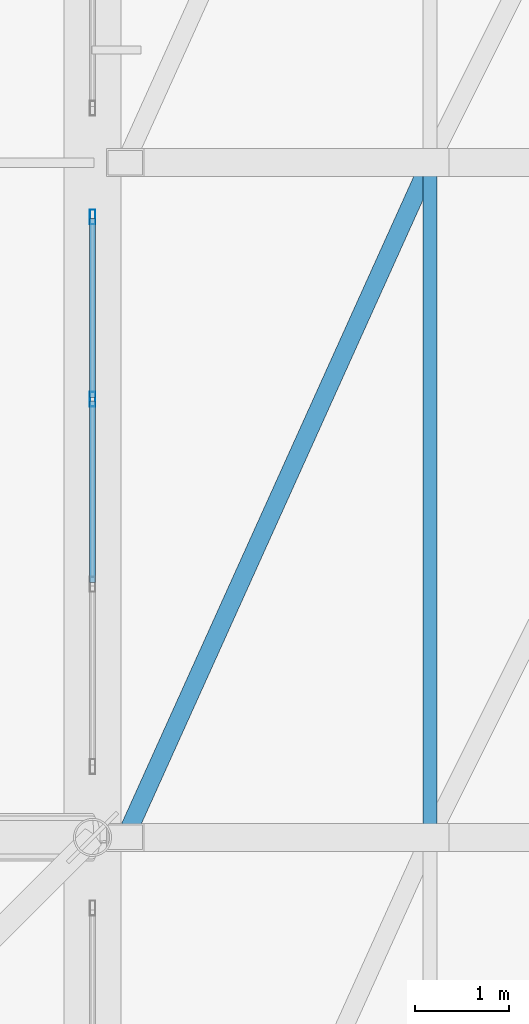
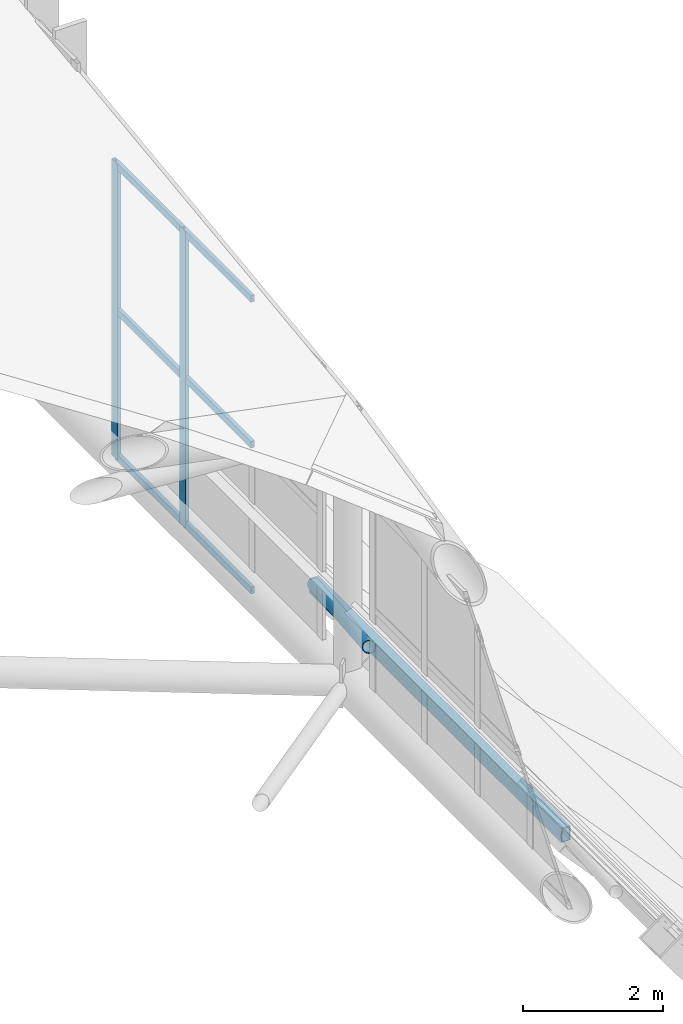
# One storey, part 151 of 397: 10 members, 1 element without a shape of its own.
"""IFC4 building model written with IfcOpenShell, lengths in metres."""

from ifc_helpers import new_model, si_unit, direction, frame, origin, origin_2d, place, context, subcontext, project, spatial, hollow_rectangle, hollow_circle, extrude, material, material_profile, profile_set, type_object, element, aggregate, save


model = new_model("IFC4")

# Units and contexts
model_context = context("Model", 3, precision=1e-05, world=origin(), true_north=direction((0.0, 1.0)))
body_context = subcontext(model_context, "Body", "Model", "MODEL_VIEW")
ifc_project = project(units=[si_unit("LENGTHUNIT", "METRE"), si_unit("AREAUNIT", "SQUARE_METRE"), si_unit("VOLUMEUNIT", "CUBIC_METRE"), si_unit("PLANEANGLEUNIT", "RADIAN"), si_unit("MASSUNIT", "GRAM", prefix="KILO")], contexts=[model_context])

# Site, building, storey
site_placement = place(None, origin())
site = spatial("IfcSite", under=ifc_project, at=site_placement, CompositionType="ELEMENT")
building_placement = place(site_placement, origin())
building = spatial("IfcBuilding", under=site, at=building_placement, Name="Qandorah Velis Arena", CompositionType="ELEMENT")
storey_placement = place(building_placement, frame((0.0, 0.0, 27.5)))
storey = spatial("IfcBuildingStorey", under=building, at=storey_placement, Name="RF", CompositionType="ELEMENT", Elevation=27.5)

# Curtain wall, members
ifc_material_1 = material(Name="Solar-control low-E double glazing", Category="glass")
curtain_wall_type = type_object("IfcCurtainWallType", Name="ARC-CW-SYS10", PredefinedType="USERDEFINED", material=ifc_material_1)
curtain_wall_placement = place(storey_placement, origin())
curtain_wall = element("IfcCurtainWall", 1, at=curtain_wall_placement, inside=storey, type_object=curtain_wall_type, Name="Unitised curtain wall CROWN-2-02S1", ObjectType="UNITISED CURTAIN WALL", PredefinedType="USERDEFINED")
ifc_material_2 = material(Name="Champagne-bronze anodized aluminium 6063-T6", Category="aluminium")
ifc_material_profile_1 = material_profile(ifc_material_2, hollow_rectangle(XDim=0.06005859375, YDim=0.159912109375, WallThickness=0.00341796875, at=origin_2d()), Name="ALU MULLION 60x160")
ifc_profile_set_1 = profile_set([ifc_material_profile_1], Name="Champagne-bronze anodized aluminium 6063-T6")
member_type_1 = type_object("IfcMemberType", Name="ARC-CWM-160", PredefinedType="MULLION", material=ifc_profile_set_1)
member_1_placement = place(storey_placement, frame((115.199951171875, 33.47509765625, -0.014892578125), z_axis=(0.0, 0.0, 1.0), x_axis=(-1.0, 0.0, 0.0)))
member_1 = element("IfcMember", 2, at=member_1_placement, type_object=member_type_1, Name="CW10 mullion 3", PredefinedType="MULLION", context=body_context, shape_type="SweptSolid", body=[
    extrude(hollow_rectangle(XDim=0.06005859375, YDim=0.159912109375, WallThickness=0.00341796875, at=origin_2d()), origin(), (0.0, 0.0, 1.0), 5.180908203125),
])
member_2_placement = place(storey_placement, frame((115.199951171875, 35.419921875, -0.014892578125), z_axis=(0.0, 0.0, 1.0), x_axis=(-1.0, 0.0, 0.0)))
member_2 = element("IfcMember", 3, at=member_2_placement, type_object=member_type_1, Name="CW10 mullion 4", PredefinedType="MULLION", context=body_context, shape_type="SweptSolid", body=[
    extrude(hollow_rectangle(XDim=0.06005859375, YDim=0.159912109375, WallThickness=0.00341796875, at=origin_2d()), origin(), (0.0, 0.0, 1.0), 5.180908203125),
])
ifc_material_profile_2 = material_profile(ifc_material_2, hollow_rectangle(XDim=0.06005859375, YDim=0.1201171875, WallThickness=0.0029296875, at=origin_2d()), Name="ALU TRANSOM 60x120")
ifc_profile_set_2 = profile_set([ifc_material_profile_2], Name="Champagne-bronze anodized aluminium 6063-T6")
member_type_2 = type_object("IfcMemberType", Name="ARC-CWT-120", PredefinedType="USERDEFINED", material=ifc_profile_set_2)
member_3_placement = place(storey_placement, frame((115.199951171875, 31.51806640625, 0.030029296875), z_axis=(0.0, 1.0, 0.0), x_axis=(-1.0, 0.0, 0.0)))
member_3 = element("IfcMember", 4, at=member_3_placement, type_object=member_type_2, Name="CW10 transom 2.1", ObjectType="TRANSOM", PredefinedType="USERDEFINED", context=body_context, shape_type="SweptSolid", body=[
    extrude(hollow_rectangle(XDim=0.06005859375, YDim=0.1201171875, WallThickness=0.0029296875, at=origin_2d()), origin(), (0.0, 0.0, 1.0), 1.93896484375),
])
member_4_placement = place(storey_placement, frame((115.199951171875, 31.51806640625, 2.575439453125), z_axis=(0.0, 1.0, 0.0), x_axis=(-1.0, 0.0, 0.0)))
member_4 = element("IfcMember", 5, at=member_4_placement, type_object=member_type_2, Name="CW10 transom 2.2", ObjectType="TRANSOM", PredefinedType="USERDEFINED", context=body_context, shape_type="SweptSolid", body=[
    extrude(hollow_rectangle(XDim=0.06005859375, YDim=0.1201171875, WallThickness=0.0029296875, at=origin_2d()), origin(), (0.0, 0.0, 1.0), 1.93896484375),
])
member_5_placement = place(storey_placement, frame((115.199951171875, 31.51806640625, 5.12109375), z_axis=(0.0, 1.0, 0.0), x_axis=(-1.0, 0.0, 0.0)))
member_5 = element("IfcMember", 6, at=member_5_placement, type_object=member_type_2, Name="CW10 transom 2.3", ObjectType="TRANSOM", PredefinedType="USERDEFINED", context=body_context, shape_type="SweptSolid", body=[
    extrude(hollow_rectangle(XDim=0.06005859375, YDim=0.1201171875, WallThickness=0.0029296875, at=origin_2d()), origin(), (0.0, 0.0, 1.0), 1.93896484375),
])
member_6_placement = place(storey_placement, frame((115.199951171875, 33.492919921875, 0.030029296875), z_axis=(0.0, 1.0, 0.0), x_axis=(-1.0, 0.0, 0.0)))
member_6 = element("IfcMember", 7, at=member_6_placement, type_object=member_type_2, Name="CW10 transom 3.1", ObjectType="TRANSOM", PredefinedType="USERDEFINED", context=body_context, shape_type="SweptSolid", body=[
    extrude(hollow_rectangle(XDim=0.06005859375, YDim=0.1201171875, WallThickness=0.0029296875, at=origin_2d()), origin(), (0.0, 0.0, 1.0), 1.9091796875),
])
member_7_placement = place(storey_placement, frame((115.199951171875, 33.492919921875, 2.575439453125), z_axis=(0.0, 1.0, 0.0), x_axis=(-1.0, 0.0, 0.0)))
member_7 = element("IfcMember", 8, at=member_7_placement, type_object=member_type_2, Name="CW10 transom 3.2", ObjectType="TRANSOM", PredefinedType="USERDEFINED", context=body_context, shape_type="SweptSolid", body=[
    extrude(hollow_rectangle(XDim=0.06005859375, YDim=0.1201171875, WallThickness=0.0029296875, at=origin_2d()), origin(), (0.0, 0.0, 1.0), 1.9091796875),
])
member_8_placement = place(storey_placement, frame((115.199951171875, 33.492919921875, 5.12109375), z_axis=(0.0, 1.0, 0.0), x_axis=(-1.0, 0.0, 0.0)))
member_8 = element("IfcMember", 9, at=member_8_placement, type_object=member_type_2, Name="CW10 transom 3.3", ObjectType="TRANSOM", PredefinedType="USERDEFINED", context=body_context, shape_type="SweptSolid", body=[
    extrude(hollow_rectangle(XDim=0.06005859375, YDim=0.1201171875, WallThickness=0.0029296875, at=origin_2d()), origin(), (0.0, 0.0, 1.0), 1.9091796875),
])
aggregate(curtain_wall, [member_1, member_2, member_3, member_4, member_5, member_6, member_7, member_8])

# Members
ifc_material_3 = material(Name="Steel S355", Category="steel")
ifc_material_profile_3 = material_profile(ifc_material_3, hollow_rectangle(XDim=0.14990234375, YDim=0.25, WallThickness=0.010009765625, at=origin_2d()), Name="RHS 250x150x10")
ifc_profile_set_3 = profile_set([ifc_material_profile_3], Name="Steel S355")
member_type_3 = type_object("IfcMemberType", Name="STR-PRL-RHS250", PredefinedType="PURLIN", material=ifc_profile_set_3)
member_9_placement = place(storey_placement, frame((118.800048828125, 28.800048828125, -3.84130859375), z_axis=(0.0, 1.0, 0.0), x_axis=(-1.0, 0.0, 0.0)))
element("IfcMember", 10, at=member_9_placement, inside=storey, type_object=member_type_3, Name="Canopy cross purlin CPR-3.01", PredefinedType="PURLIN", context=body_context, shape_type="SweptSolid", body=[
    extrude(hollow_rectangle(XDim=0.14990234375, YDim=0.25, WallThickness=0.010009765625, at=origin_2d()), origin(), (0.0, 0.0, 1.0), 7.199951171875),
])
ifc_material_profile_4 = material_profile(ifc_material_3, hollow_circle(Radius=0.096923828125, WallThickness=0.010009765625, at=origin_2d()), Name="CHS 193.7x10")
ifc_profile_set_4 = profile_set([ifc_material_profile_4], Name="Steel S355")
member_type_4 = type_object("IfcMemberType", Name="STR-SFD-CHS193X10", PredefinedType="STRUT", material=ifc_profile_set_4)
member_10_placement = place(storey_placement, frame((115.550048828125, 28.800048828125, 0.562744140625), z_axis=(0.359346488943, 0.796085284361, -0.486947965298), x_axis=(-0.911446126147, 0.41141944428, 0.0)))
element("IfcMember", 11, at=member_10_placement, inside=storey, type_object=member_type_4, Name="Canopy roof plane diagonal CDG-3.01", PredefinedType="STRUT", context=body_context, shape_type="SweptSolid", body=[
    extrude(hollow_circle(Radius=0.096923828125, WallThickness=0.010009765625, at=origin_2d()), origin(), (0.0, 0.0, 1.0), 9.044189453125),
])

save(model, "model.ifc")
